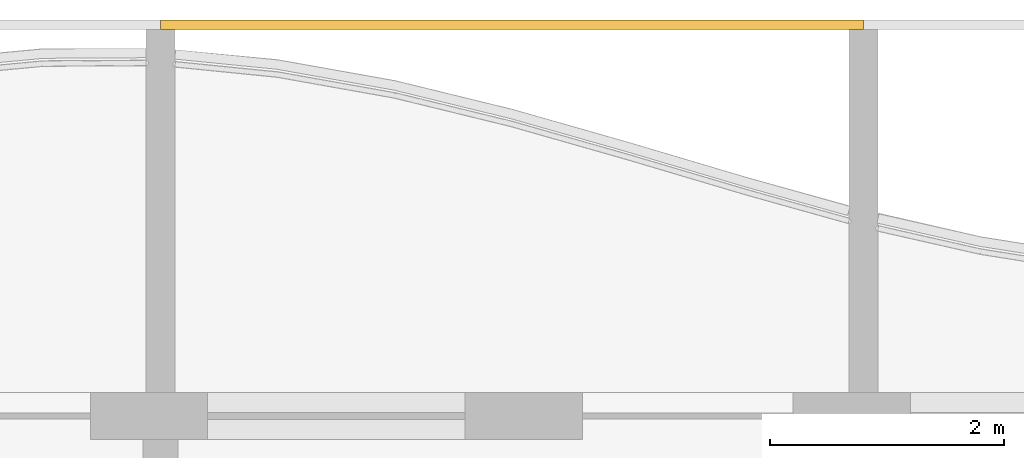
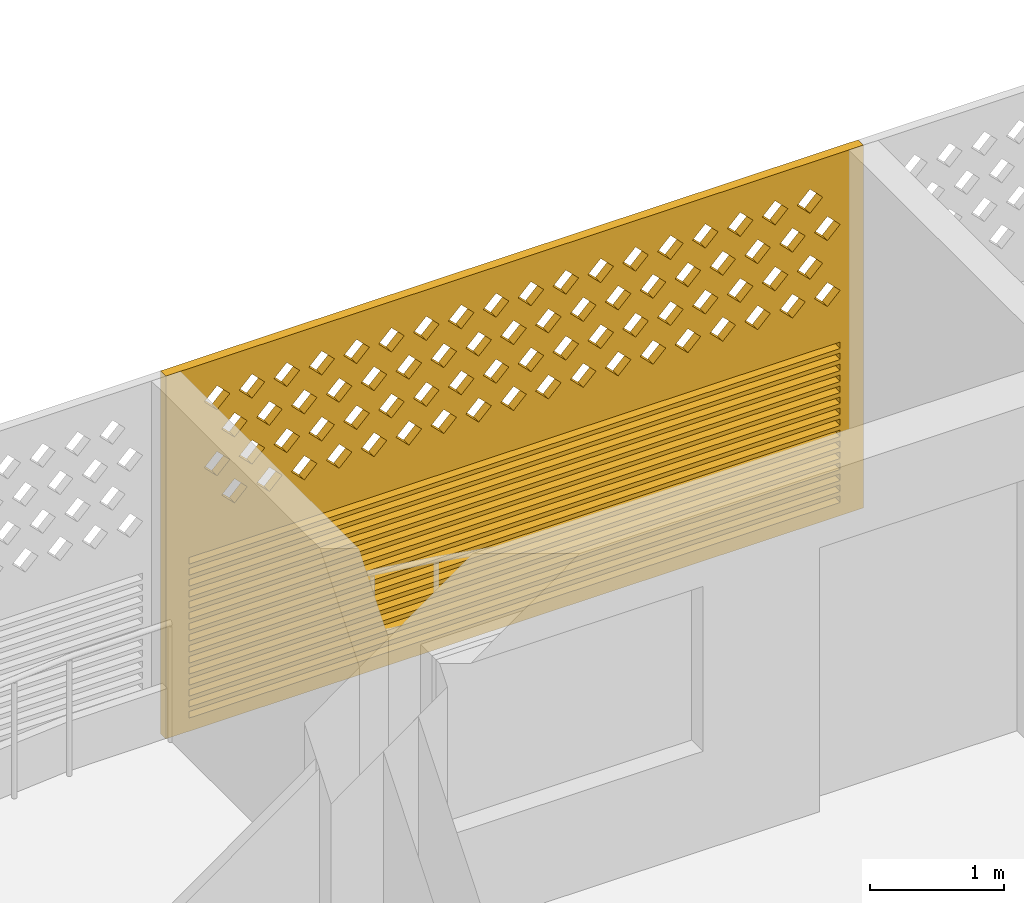
# One storey, part 31 of 33: 1 covering.
"""IFC4 building model written with IfcOpenShell, lengths in metres."""

from ifc_helpers import new_model, si_unit, direction, frame, origin, place, context, subcontext, project, spatial, polyline, outline, extrude, source, transform, mapped, material, material_profile, profile_set, type_object, element, save


model = new_model("IFC4")

# Units and contexts
model_context = context("Model", 3, precision=1e-05, world=origin(), true_north=direction((0.0, 1.0)))
body_context = subcontext(model_context, "Body", "Model", "MODEL_VIEW")
ifc_project = project(units=[si_unit("LENGTHUNIT", "METRE"), si_unit("AREAUNIT", "SQUARE_METRE"), si_unit("VOLUMEUNIT", "CUBIC_METRE"), si_unit("PLANEANGLEUNIT", "RADIAN"), si_unit("MASSUNIT", "GRAM", prefix="KILO")], contexts=[model_context])

# Site, building, storey
site_placement = place(None, origin())
site = spatial("IfcSite", under=ifc_project, at=site_placement, CompositionType="ELEMENT")
building_placement = place(site_placement, origin())
building = spatial("IfcBuilding", under=site, at=building_placement, Name="Poui Terraces", CompositionType="ELEMENT")
storey_placement = place(building_placement, frame((0.0, 0.0, 132.300048828125)))
storey = spatial("IfcBuildingStorey", under=building, at=storey_placement, Name="L36", CompositionType="ELEMENT", Elevation=132.300048828125)

# Covering
ifc_material = material(Name="Terracotta screen", Category="masonry")
ifc_material_profile = material_profile(ifc_material, outline(polyline([(-3.0, -1.64990234375), (3.0, -1.64990234375), (3.0, 1.64990234375), (-3.0, 1.64990234375), (-3.0, -1.64990234375)]), holes=[polyline([(-2.800048828125, 0.39990234375), (-2.68994140625, 0.2900390625), (-2.580078125, 0.39990234375), (-2.68994140625, 0.510009765625), (-2.800048828125, 0.39990234375)]), polyline([(-2.5, 0.39990234375), (-2.389892578125, 0.2900390625), (-2.280029296875, 0.39990234375), (-2.389892578125, 0.510009765625), (-2.5, 0.39990234375)]), polyline([(-2.199951171875, 0.39990234375), (-2.090087890625, 0.2900390625), (-1.97998046875, 0.39990234375), (-2.090087890625, 0.510009765625), (-2.199951171875, 0.39990234375)]), polyline([(-1.89990234375, 0.39990234375), (-1.7900390625, 0.2900390625), (-1.679931640625, 0.39990234375), (-1.7900390625, 0.510009765625), (-1.89990234375, 0.39990234375)]), polyline([(-1.60009765625, 0.39990234375), (-1.489990234375, 0.2900390625), (-1.3798828125, 0.39990234375), (-1.489990234375, 0.510009765625), (-1.60009765625, 0.39990234375)]), polyline([(-1.300048828125, 0.39990234375), (-1.18994140625, 0.2900390625), (-1.080078125, 0.39990234375), (-1.18994140625, 0.510009765625), (-1.300048828125, 0.39990234375)]), polyline([(-1.0, 0.39990234375), (-0.889892578125, 0.2900390625), (-0.780029296875, 0.39990234375), (-0.889892578125, 0.510009765625), (-1.0, 0.39990234375)]), polyline([(-0.699951171875, 0.39990234375), (-0.590087890625, 0.2900390625), (-0.47998046875, 0.39990234375), (-0.590087890625, 0.510009765625), (-0.699951171875, 0.39990234375)]), polyline([(-0.39990234375, 0.39990234375), (-0.2900390625, 0.2900390625), (-0.179931640625, 0.39990234375), (-0.2900390625, 0.510009765625), (-0.39990234375, 0.39990234375)]), polyline([(-0.10009765625, 0.39990234375), (0.010009765625, 0.2900390625), (0.1201171875, 0.39990234375), (0.010009765625, 0.510009765625), (-0.10009765625, 0.39990234375)]), polyline([(0.199951171875, 0.39990234375), (0.31005859375, 0.2900390625), (0.419921875, 0.39990234375), (0.31005859375, 0.510009765625), (0.199951171875, 0.39990234375)]), polyline([(0.5, 0.39990234375), (0.610107421875, 0.2900390625), (0.719970703125, 0.39990234375), (0.610107421875, 0.510009765625), (0.5, 0.39990234375)]), polyline([(0.800048828125, 0.39990234375), (0.909912109375, 0.2900390625), (1.02001953125, 0.39990234375), (0.909912109375, 0.510009765625), (0.800048828125, 0.39990234375)]), polyline([(1.10009765625, 0.39990234375), (1.2099609375, 0.2900390625), (1.320068359375, 0.39990234375), (1.2099609375, 0.510009765625), (1.10009765625, 0.39990234375)]), polyline([(1.39990234375, 0.39990234375), (1.510009765625, 0.2900390625), (1.6201171875, 0.39990234375), (1.510009765625, 0.510009765625), (1.39990234375, 0.39990234375)]), polyline([(1.699951171875, 0.39990234375), (1.81005859375, 0.2900390625), (1.919921875, 0.39990234375), (1.81005859375, 0.510009765625), (1.699951171875, 0.39990234375)]), polyline([(2.0, 0.39990234375), (2.110107421875, 0.2900390625), (2.219970703125, 0.39990234375), (2.110107421875, 0.510009765625), (2.0, 0.39990234375)]), polyline([(2.300048828125, 0.39990234375), (2.409912109375, 0.2900390625), (2.52001953125, 0.39990234375), (2.409912109375, 0.510009765625), (2.300048828125, 0.39990234375)]), polyline([(-2.64990234375, 0.699951171875), (-2.5400390625, 0.590087890625), (-2.429931640625, 0.699951171875), (-2.5400390625, 0.81005859375), (-2.64990234375, 0.699951171875)]), polyline([(-2.35009765625, 0.699951171875), (-2.239990234375, 0.590087890625), (-2.1298828125, 0.699951171875), (-2.239990234375, 0.81005859375), (-2.35009765625, 0.699951171875)]), polyline([(-2.050048828125, 0.699951171875), (-1.93994140625, 0.590087890625), (-1.830078125, 0.699951171875), (-1.93994140625, 0.81005859375), (-2.050048828125, 0.699951171875)]), polyline([(-1.75, 0.699951171875), (-1.639892578125, 0.590087890625), (-1.530029296875, 0.699951171875), (-1.639892578125, 0.81005859375), (-1.75, 0.699951171875)]), polyline([(-1.449951171875, 0.699951171875), (-1.340087890625, 0.590087890625), (-1.22998046875, 0.699951171875), (-1.340087890625, 0.81005859375), (-1.449951171875, 0.699951171875)]), polyline([(-1.14990234375, 0.699951171875), (-1.0400390625, 0.590087890625), (-0.929931640625, 0.699951171875), (-1.0400390625, 0.81005859375), (-1.14990234375, 0.699951171875)]), polyline([(-0.85009765625, 0.699951171875), (-0.739990234375, 0.590087890625), (-0.6298828125, 0.699951171875), (-0.739990234375, 0.81005859375), (-0.85009765625, 0.699951171875)]), polyline([(-0.550048828125, 0.699951171875), (-0.43994140625, 0.590087890625), (-0.330078125, 0.699951171875), (-0.43994140625, 0.81005859375), (-0.550048828125, 0.699951171875)]), polyline([(-0.25, 0.699951171875), (-0.139892578125, 0.590087890625), (-0.030029296875, 0.699951171875), (-0.139892578125, 0.81005859375), (-0.25, 0.699951171875)]), polyline([(0.050048828125, 0.699951171875), (0.159912109375, 0.590087890625), (0.27001953125, 0.699951171875), (0.159912109375, 0.81005859375), (0.050048828125, 0.699951171875)]), polyline([(0.35009765625, 0.699951171875), (0.4599609375, 0.590087890625), (0.570068359375, 0.699951171875), (0.4599609375, 0.81005859375), (0.35009765625, 0.699951171875)]), polyline([(0.64990234375, 0.699951171875), (0.760009765625, 0.590087890625), (0.8701171875, 0.699951171875), (0.760009765625, 0.81005859375), (0.64990234375, 0.699951171875)]), polyline([(0.949951171875, 0.699951171875), (1.06005859375, 0.590087890625), (1.169921875, 0.699951171875), (1.06005859375, 0.81005859375), (0.949951171875, 0.699951171875)]), polyline([(1.25, 0.699951171875), (1.360107421875, 0.590087890625), (1.469970703125, 0.699951171875), (1.360107421875, 0.81005859375), (1.25, 0.699951171875)]), polyline([(1.550048828125, 0.699951171875), (1.659912109375, 0.590087890625), (1.77001953125, 0.699951171875), (1.659912109375, 0.81005859375), (1.550048828125, 0.699951171875)]), polyline([(1.85009765625, 0.699951171875), (1.9599609375, 0.590087890625), (2.070068359375, 0.699951171875), (1.9599609375, 0.81005859375), (1.85009765625, 0.699951171875)]), polyline([(2.14990234375, 0.699951171875), (2.260009765625, 0.590087890625), (2.3701171875, 0.699951171875), (2.260009765625, 0.81005859375), (2.14990234375, 0.699951171875)]), polyline([(2.449951171875, 0.699951171875), (2.56005859375, 0.590087890625), (2.669921875, 0.699951171875), (2.56005859375, 0.81005859375), (2.449951171875, 0.699951171875)]), polyline([(-2.800048828125, 1.0), (-2.68994140625, 0.889892578125), (-2.580078125, 1.0), (-2.68994140625, 1.110107421875), (-2.800048828125, 1.0)]), polyline([(-2.5, 1.0), (-2.389892578125, 0.889892578125), (-2.280029296875, 1.0), (-2.389892578125, 1.110107421875), (-2.5, 1.0)]), polyline([(-2.199951171875, 1.0), (-2.090087890625, 0.889892578125), (-1.97998046875, 1.0), (-2.090087890625, 1.110107421875), (-2.199951171875, 1.0)]), polyline([(-1.89990234375, 1.0), (-1.7900390625, 0.889892578125), (-1.679931640625, 1.0), (-1.7900390625, 1.110107421875), (-1.89990234375, 1.0)]), polyline([(-1.60009765625, 1.0), (-1.489990234375, 0.889892578125), (-1.3798828125, 1.0), (-1.489990234375, 1.110107421875), (-1.60009765625, 1.0)]), polyline([(-1.300048828125, 1.0), (-1.18994140625, 0.889892578125), (-1.080078125, 1.0), (-1.18994140625, 1.110107421875), (-1.300048828125, 1.0)]), polyline([(-1.0, 1.0), (-0.889892578125, 0.889892578125), (-0.780029296875, 1.0), (-0.889892578125, 1.110107421875), (-1.0, 1.0)]), polyline([(-0.699951171875, 1.0), (-0.590087890625, 0.889892578125), (-0.47998046875, 1.0), (-0.590087890625, 1.110107421875), (-0.699951171875, 1.0)]), polyline([(-0.39990234375, 1.0), (-0.2900390625, 0.889892578125), (-0.179931640625, 1.0), (-0.2900390625, 1.110107421875), (-0.39990234375, 1.0)]), polyline([(-0.10009765625, 1.0), (0.010009765625, 0.889892578125), (0.1201171875, 1.0), (0.010009765625, 1.110107421875), (-0.10009765625, 1.0)]), polyline([(0.199951171875, 1.0), (0.31005859375, 0.889892578125), (0.419921875, 1.0), (0.31005859375, 1.110107421875), (0.199951171875, 1.0)]), polyline([(0.5, 1.0), (0.610107421875, 0.889892578125), (0.719970703125, 1.0), (0.610107421875, 1.110107421875), (0.5, 1.0)]), polyline([(0.800048828125, 1.0), (0.909912109375, 0.889892578125), (1.02001953125, 1.0), (0.909912109375, 1.110107421875), (0.800048828125, 1.0)]), polyline([(1.10009765625, 1.0), (1.2099609375, 0.889892578125), (1.320068359375, 1.0), (1.2099609375, 1.110107421875), (1.10009765625, 1.0)]), polyline([(1.39990234375, 1.0), (1.510009765625, 0.889892578125), (1.6201171875, 1.0), (1.510009765625, 1.110107421875), (1.39990234375, 1.0)]), polyline([(1.699951171875, 1.0), (1.81005859375, 0.889892578125), (1.919921875, 1.0), (1.81005859375, 1.110107421875), (1.699951171875, 1.0)]), polyline([(2.0, 1.0), (2.110107421875, 0.889892578125), (2.219970703125, 1.0), (2.110107421875, 1.110107421875), (2.0, 1.0)]), polyline([(2.300048828125, 1.0), (2.409912109375, 0.889892578125), (2.52001953125, 1.0), (2.409912109375, 1.110107421875), (2.300048828125, 1.0)]), polyline([(-2.64990234375, 1.300048828125), (-2.5400390625, 1.18994140625), (-2.429931640625, 1.300048828125), (-2.5400390625, 1.409912109375), (-2.64990234375, 1.300048828125)]), polyline([(-2.35009765625, 1.300048828125), (-2.239990234375, 1.18994140625), (-2.1298828125, 1.300048828125), (-2.239990234375, 1.409912109375), (-2.35009765625, 1.300048828125)]), polyline([(-2.050048828125, 1.300048828125), (-1.93994140625, 1.18994140625), (-1.830078125, 1.300048828125), (-1.93994140625, 1.409912109375), (-2.050048828125, 1.300048828125)]), polyline([(-1.75, 1.300048828125), (-1.639892578125, 1.18994140625), (-1.530029296875, 1.300048828125), (-1.639892578125, 1.409912109375), (-1.75, 1.300048828125)]), polyline([(-1.449951171875, 1.300048828125), (-1.340087890625, 1.18994140625), (-1.22998046875, 1.300048828125), (-1.340087890625, 1.409912109375), (-1.449951171875, 1.300048828125)]), polyline([(-1.14990234375, 1.300048828125), (-1.0400390625, 1.18994140625), (-0.929931640625, 1.300048828125), (-1.0400390625, 1.409912109375), (-1.14990234375, 1.300048828125)]), polyline([(-0.85009765625, 1.300048828125), (-0.739990234375, 1.18994140625), (-0.6298828125, 1.300048828125), (-0.739990234375, 1.409912109375), (-0.85009765625, 1.300048828125)]), polyline([(-0.550048828125, 1.300048828125), (-0.43994140625, 1.18994140625), (-0.330078125, 1.300048828125), (-0.43994140625, 1.409912109375), (-0.550048828125, 1.300048828125)]), polyline([(-0.25, 1.300048828125), (-0.139892578125, 1.18994140625), (-0.030029296875, 1.300048828125), (-0.139892578125, 1.409912109375), (-0.25, 1.300048828125)]), polyline([(0.050048828125, 1.300048828125), (0.159912109375, 1.18994140625), (0.27001953125, 1.300048828125), (0.159912109375, 1.409912109375), (0.050048828125, 1.300048828125)]), polyline([(0.35009765625, 1.300048828125), (0.4599609375, 1.18994140625), (0.570068359375, 1.300048828125), (0.4599609375, 1.409912109375), (0.35009765625, 1.300048828125)]), polyline([(0.64990234375, 1.300048828125), (0.760009765625, 1.18994140625), (0.8701171875, 1.300048828125), (0.760009765625, 1.409912109375), (0.64990234375, 1.300048828125)]), polyline([(0.949951171875, 1.300048828125), (1.06005859375, 1.18994140625), (1.169921875, 1.300048828125), (1.06005859375, 1.409912109375), (0.949951171875, 1.300048828125)]), polyline([(1.25, 1.300048828125), (1.360107421875, 1.18994140625), (1.469970703125, 1.300048828125), (1.360107421875, 1.409912109375), (1.25, 1.300048828125)]), polyline([(1.550048828125, 1.300048828125), (1.659912109375, 1.18994140625), (1.77001953125, 1.300048828125), (1.659912109375, 1.409912109375), (1.550048828125, 1.300048828125)]), polyline([(1.85009765625, 1.300048828125), (1.9599609375, 1.18994140625), (2.070068359375, 1.300048828125), (1.9599609375, 1.409912109375), (1.85009765625, 1.300048828125)]), polyline([(2.14990234375, 1.300048828125), (2.260009765625, 1.18994140625), (2.3701171875, 1.300048828125), (2.260009765625, 1.409912109375), (2.14990234375, 1.300048828125)]), polyline([(2.449951171875, 1.300048828125), (2.56005859375, 1.18994140625), (2.669921875, 1.300048828125), (2.56005859375, 1.409912109375), (2.449951171875, 1.300048828125)]), polyline([(-2.800048828125, -1.530029296875), (2.800048828125, -1.530029296875), (2.800048828125, -1.469970703125), (-2.800048828125, -1.469970703125), (-2.800048828125, -1.530029296875)]), polyline([(-2.800048828125, -1.429931640625), (2.800048828125, -1.429931640625), (2.800048828125, -1.3701171875), (-2.800048828125, -1.3701171875), (-2.800048828125, -1.429931640625)]), polyline([(-2.800048828125, -1.330078125), (2.800048828125, -1.330078125), (2.800048828125, -1.27001953125), (-2.800048828125, -1.27001953125), (-2.800048828125, -1.330078125)]), polyline([(-2.800048828125, -1.22998046875), (2.800048828125, -1.22998046875), (2.800048828125, -1.169921875), (-2.800048828125, -1.169921875), (-2.800048828125, -1.22998046875)]), polyline([(-2.800048828125, -1.1298828125), (2.800048828125, -1.1298828125), (2.800048828125, -1.070068359375), (-2.800048828125, -1.070068359375), (-2.800048828125, -1.1298828125)]), polyline([(-2.800048828125, -1.030029296875), (2.800048828125, -1.030029296875), (2.800048828125, -0.969970703125), (-2.800048828125, -0.969970703125), (-2.800048828125, -1.030029296875)]), polyline([(-2.800048828125, -0.929931640625), (2.800048828125, -0.929931640625), (2.800048828125, -0.8701171875), (-2.800048828125, -0.8701171875), (-2.800048828125, -0.929931640625)]), polyline([(-2.800048828125, -0.830078125), (2.800048828125, -0.830078125), (2.800048828125, -0.77001953125), (-2.800048828125, -0.77001953125), (-2.800048828125, -0.830078125)]), polyline([(-2.800048828125, -0.72998046875), (2.800048828125, -0.72998046875), (2.800048828125, -0.669921875), (-2.800048828125, -0.669921875), (-2.800048828125, -0.72998046875)]), polyline([(-2.800048828125, -0.6298828125), (2.800048828125, -0.6298828125), (2.800048828125, -0.570068359375), (-2.800048828125, -0.570068359375), (-2.800048828125, -0.6298828125)]), polyline([(-2.800048828125, -0.530029296875), (2.800048828125, -0.530029296875), (2.800048828125, -0.469970703125), (-2.800048828125, -0.469970703125), (-2.800048828125, -0.530029296875)]), polyline([(-2.800048828125, -0.429931640625), (2.800048828125, -0.429931640625), (2.800048828125, -0.3701171875), (-2.800048828125, -0.3701171875), (-2.800048828125, -0.429931640625)]), polyline([(-2.800048828125, -0.330078125), (2.800048828125, -0.330078125), (2.800048828125, -0.27001953125), (-2.800048828125, -0.27001953125), (-2.800048828125, -0.330078125)]), polyline([(-2.800048828125, -0.22998046875), (2.800048828125, -0.22998046875), (2.800048828125, -0.169921875), (-2.800048828125, -0.169921875), (-2.800048828125, -0.22998046875)]), polyline([(-2.800048828125, -0.1298828125), (2.800048828125, -0.1298828125), (2.800048828125, -0.070068359375), (-2.800048828125, -0.070068359375), (-2.800048828125, -0.1298828125)])]), Name="TERRACOTTA SCREEN AND JALOUSIE LOUVRE 6000X3300")
ifc_profile_set = profile_set([ifc_material_profile], Name="Terracotta screen")
covering_type = type_object("IfcCoveringType", Name="TERRACOTTA SCREEN AND JALOUSIE LOUVRE 6000X3300", PredefinedType="CLADDING", material=ifc_profile_set)
shared_shape = source(origin(), body_context, "Body", "SweptSolid", [
    extrude(outline(polyline([(-3.0, -1.64990234375), (3.0, -1.64990234375), (3.0, 1.64990234375), (-3.0, 1.64990234375), (-3.0, -1.64990234375)]), holes=[polyline([(-2.800048828125, 0.39990234375), (-2.68994140625, 0.2900390625), (-2.580078125, 0.39990234375), (-2.68994140625, 0.510009765625), (-2.800048828125, 0.39990234375)]), polyline([(-2.5, 0.39990234375), (-2.389892578125, 0.2900390625), (-2.280029296875, 0.39990234375), (-2.389892578125, 0.510009765625), (-2.5, 0.39990234375)]), polyline([(-2.199951171875, 0.39990234375), (-2.090087890625, 0.2900390625), (-1.97998046875, 0.39990234375), (-2.090087890625, 0.510009765625), (-2.199951171875, 0.39990234375)]), polyline([(-1.89990234375, 0.39990234375), (-1.7900390625, 0.2900390625), (-1.679931640625, 0.39990234375), (-1.7900390625, 0.510009765625), (-1.89990234375, 0.39990234375)]), polyline([(-1.60009765625, 0.39990234375), (-1.489990234375, 0.2900390625), (-1.3798828125, 0.39990234375), (-1.489990234375, 0.510009765625), (-1.60009765625, 0.39990234375)]), polyline([(-1.300048828125, 0.39990234375), (-1.18994140625, 0.2900390625), (-1.080078125, 0.39990234375), (-1.18994140625, 0.510009765625), (-1.300048828125, 0.39990234375)]), polyline([(-1.0, 0.39990234375), (-0.889892578125, 0.2900390625), (-0.780029296875, 0.39990234375), (-0.889892578125, 0.510009765625), (-1.0, 0.39990234375)]), polyline([(-0.699951171875, 0.39990234375), (-0.590087890625, 0.2900390625), (-0.47998046875, 0.39990234375), (-0.590087890625, 0.510009765625), (-0.699951171875, 0.39990234375)]), polyline([(-0.39990234375, 0.39990234375), (-0.2900390625, 0.2900390625), (-0.179931640625, 0.39990234375), (-0.2900390625, 0.510009765625), (-0.39990234375, 0.39990234375)]), polyline([(-0.10009765625, 0.39990234375), (0.010009765625, 0.2900390625), (0.1201171875, 0.39990234375), (0.010009765625, 0.510009765625), (-0.10009765625, 0.39990234375)]), polyline([(0.199951171875, 0.39990234375), (0.31005859375, 0.2900390625), (0.419921875, 0.39990234375), (0.31005859375, 0.510009765625), (0.199951171875, 0.39990234375)]), polyline([(0.5, 0.39990234375), (0.610107421875, 0.2900390625), (0.719970703125, 0.39990234375), (0.610107421875, 0.510009765625), (0.5, 0.39990234375)]), polyline([(0.800048828125, 0.39990234375), (0.909912109375, 0.2900390625), (1.02001953125, 0.39990234375), (0.909912109375, 0.510009765625), (0.800048828125, 0.39990234375)]), polyline([(1.10009765625, 0.39990234375), (1.2099609375, 0.2900390625), (1.320068359375, 0.39990234375), (1.2099609375, 0.510009765625), (1.10009765625, 0.39990234375)]), polyline([(1.39990234375, 0.39990234375), (1.510009765625, 0.2900390625), (1.6201171875, 0.39990234375), (1.510009765625, 0.510009765625), (1.39990234375, 0.39990234375)]), polyline([(1.699951171875, 0.39990234375), (1.81005859375, 0.2900390625), (1.919921875, 0.39990234375), (1.81005859375, 0.510009765625), (1.699951171875, 0.39990234375)]), polyline([(2.0, 0.39990234375), (2.110107421875, 0.2900390625), (2.219970703125, 0.39990234375), (2.110107421875, 0.510009765625), (2.0, 0.39990234375)]), polyline([(2.300048828125, 0.39990234375), (2.409912109375, 0.2900390625), (2.52001953125, 0.39990234375), (2.409912109375, 0.510009765625), (2.300048828125, 0.39990234375)]), polyline([(-2.64990234375, 0.699951171875), (-2.5400390625, 0.590087890625), (-2.429931640625, 0.699951171875), (-2.5400390625, 0.81005859375), (-2.64990234375, 0.699951171875)]), polyline([(-2.35009765625, 0.699951171875), (-2.239990234375, 0.590087890625), (-2.1298828125, 0.699951171875), (-2.239990234375, 0.81005859375), (-2.35009765625, 0.699951171875)]), polyline([(-2.050048828125, 0.699951171875), (-1.93994140625, 0.590087890625), (-1.830078125, 0.699951171875), (-1.93994140625, 0.81005859375), (-2.050048828125, 0.699951171875)]), polyline([(-1.75, 0.699951171875), (-1.639892578125, 0.590087890625), (-1.530029296875, 0.699951171875), (-1.639892578125, 0.81005859375), (-1.75, 0.699951171875)]), polyline([(-1.449951171875, 0.699951171875), (-1.340087890625, 0.590087890625), (-1.22998046875, 0.699951171875), (-1.340087890625, 0.81005859375), (-1.449951171875, 0.699951171875)]), polyline([(-1.14990234375, 0.699951171875), (-1.0400390625, 0.590087890625), (-0.929931640625, 0.699951171875), (-1.0400390625, 0.81005859375), (-1.14990234375, 0.699951171875)]), polyline([(-0.85009765625, 0.699951171875), (-0.739990234375, 0.590087890625), (-0.6298828125, 0.699951171875), (-0.739990234375, 0.81005859375), (-0.85009765625, 0.699951171875)]), polyline([(-0.550048828125, 0.699951171875), (-0.43994140625, 0.590087890625), (-0.330078125, 0.699951171875), (-0.43994140625, 0.81005859375), (-0.550048828125, 0.699951171875)]), polyline([(-0.25, 0.699951171875), (-0.139892578125, 0.590087890625), (-0.030029296875, 0.699951171875), (-0.139892578125, 0.81005859375), (-0.25, 0.699951171875)]), polyline([(0.050048828125, 0.699951171875), (0.159912109375, 0.590087890625), (0.27001953125, 0.699951171875), (0.159912109375, 0.81005859375), (0.050048828125, 0.699951171875)]), polyline([(0.35009765625, 0.699951171875), (0.4599609375, 0.590087890625), (0.570068359375, 0.699951171875), (0.4599609375, 0.81005859375), (0.35009765625, 0.699951171875)]), polyline([(0.64990234375, 0.699951171875), (0.760009765625, 0.590087890625), (0.8701171875, 0.699951171875), (0.760009765625, 0.81005859375), (0.64990234375, 0.699951171875)]), polyline([(0.949951171875, 0.699951171875), (1.06005859375, 0.590087890625), (1.169921875, 0.699951171875), (1.06005859375, 0.81005859375), (0.949951171875, 0.699951171875)]), polyline([(1.25, 0.699951171875), (1.360107421875, 0.590087890625), (1.469970703125, 0.699951171875), (1.360107421875, 0.81005859375), (1.25, 0.699951171875)]), polyline([(1.550048828125, 0.699951171875), (1.659912109375, 0.590087890625), (1.77001953125, 0.699951171875), (1.659912109375, 0.81005859375), (1.550048828125, 0.699951171875)]), polyline([(1.85009765625, 0.699951171875), (1.9599609375, 0.590087890625), (2.070068359375, 0.699951171875), (1.9599609375, 0.81005859375), (1.85009765625, 0.699951171875)]), polyline([(2.14990234375, 0.699951171875), (2.260009765625, 0.590087890625), (2.3701171875, 0.699951171875), (2.260009765625, 0.81005859375), (2.14990234375, 0.699951171875)]), polyline([(2.449951171875, 0.699951171875), (2.56005859375, 0.590087890625), (2.669921875, 0.699951171875), (2.56005859375, 0.81005859375), (2.449951171875, 0.699951171875)]), polyline([(-2.800048828125, 1.0), (-2.68994140625, 0.889892578125), (-2.580078125, 1.0), (-2.68994140625, 1.110107421875), (-2.800048828125, 1.0)]), polyline([(-2.5, 1.0), (-2.389892578125, 0.889892578125), (-2.280029296875, 1.0), (-2.389892578125, 1.110107421875), (-2.5, 1.0)]), polyline([(-2.199951171875, 1.0), (-2.090087890625, 0.889892578125), (-1.97998046875, 1.0), (-2.090087890625, 1.110107421875), (-2.199951171875, 1.0)]), polyline([(-1.89990234375, 1.0), (-1.7900390625, 0.889892578125), (-1.679931640625, 1.0), (-1.7900390625, 1.110107421875), (-1.89990234375, 1.0)]), polyline([(-1.60009765625, 1.0), (-1.489990234375, 0.889892578125), (-1.3798828125, 1.0), (-1.489990234375, 1.110107421875), (-1.60009765625, 1.0)]), polyline([(-1.300048828125, 1.0), (-1.18994140625, 0.889892578125), (-1.080078125, 1.0), (-1.18994140625, 1.110107421875), (-1.300048828125, 1.0)]), polyline([(-1.0, 1.0), (-0.889892578125, 0.889892578125), (-0.780029296875, 1.0), (-0.889892578125, 1.110107421875), (-1.0, 1.0)]), polyline([(-0.699951171875, 1.0), (-0.590087890625, 0.889892578125), (-0.47998046875, 1.0), (-0.590087890625, 1.110107421875), (-0.699951171875, 1.0)]), polyline([(-0.39990234375, 1.0), (-0.2900390625, 0.889892578125), (-0.179931640625, 1.0), (-0.2900390625, 1.110107421875), (-0.39990234375, 1.0)]), polyline([(-0.10009765625, 1.0), (0.010009765625, 0.889892578125), (0.1201171875, 1.0), (0.010009765625, 1.110107421875), (-0.10009765625, 1.0)]), polyline([(0.199951171875, 1.0), (0.31005859375, 0.889892578125), (0.419921875, 1.0), (0.31005859375, 1.110107421875), (0.199951171875, 1.0)]), polyline([(0.5, 1.0), (0.610107421875, 0.889892578125), (0.719970703125, 1.0), (0.610107421875, 1.110107421875), (0.5, 1.0)]), polyline([(0.800048828125, 1.0), (0.909912109375, 0.889892578125), (1.02001953125, 1.0), (0.909912109375, 1.110107421875), (0.800048828125, 1.0)]), polyline([(1.10009765625, 1.0), (1.2099609375, 0.889892578125), (1.320068359375, 1.0), (1.2099609375, 1.110107421875), (1.10009765625, 1.0)]), polyline([(1.39990234375, 1.0), (1.510009765625, 0.889892578125), (1.6201171875, 1.0), (1.510009765625, 1.110107421875), (1.39990234375, 1.0)]), polyline([(1.699951171875, 1.0), (1.81005859375, 0.889892578125), (1.919921875, 1.0), (1.81005859375, 1.110107421875), (1.699951171875, 1.0)]), polyline([(2.0, 1.0), (2.110107421875, 0.889892578125), (2.219970703125, 1.0), (2.110107421875, 1.110107421875), (2.0, 1.0)]), polyline([(2.300048828125, 1.0), (2.409912109375, 0.889892578125), (2.52001953125, 1.0), (2.409912109375, 1.110107421875), (2.300048828125, 1.0)]), polyline([(-2.64990234375, 1.300048828125), (-2.5400390625, 1.18994140625), (-2.429931640625, 1.300048828125), (-2.5400390625, 1.409912109375), (-2.64990234375, 1.300048828125)]), polyline([(-2.35009765625, 1.300048828125), (-2.239990234375, 1.18994140625), (-2.1298828125, 1.300048828125), (-2.239990234375, 1.409912109375), (-2.35009765625, 1.300048828125)]), polyline([(-2.050048828125, 1.300048828125), (-1.93994140625, 1.18994140625), (-1.830078125, 1.300048828125), (-1.93994140625, 1.409912109375), (-2.050048828125, 1.300048828125)]), polyline([(-1.75, 1.300048828125), (-1.639892578125, 1.18994140625), (-1.530029296875, 1.300048828125), (-1.639892578125, 1.409912109375), (-1.75, 1.300048828125)]), polyline([(-1.449951171875, 1.300048828125), (-1.340087890625, 1.18994140625), (-1.22998046875, 1.300048828125), (-1.340087890625, 1.409912109375), (-1.449951171875, 1.300048828125)]), polyline([(-1.14990234375, 1.300048828125), (-1.0400390625, 1.18994140625), (-0.929931640625, 1.300048828125), (-1.0400390625, 1.409912109375), (-1.14990234375, 1.300048828125)]), polyline([(-0.85009765625, 1.300048828125), (-0.739990234375, 1.18994140625), (-0.6298828125, 1.300048828125), (-0.739990234375, 1.409912109375), (-0.85009765625, 1.300048828125)]), polyline([(-0.550048828125, 1.300048828125), (-0.43994140625, 1.18994140625), (-0.330078125, 1.300048828125), (-0.43994140625, 1.409912109375), (-0.550048828125, 1.300048828125)]), polyline([(-0.25, 1.300048828125), (-0.139892578125, 1.18994140625), (-0.030029296875, 1.300048828125), (-0.139892578125, 1.409912109375), (-0.25, 1.300048828125)]), polyline([(0.050048828125, 1.300048828125), (0.159912109375, 1.18994140625), (0.27001953125, 1.300048828125), (0.159912109375, 1.409912109375), (0.050048828125, 1.300048828125)]), polyline([(0.35009765625, 1.300048828125), (0.4599609375, 1.18994140625), (0.570068359375, 1.300048828125), (0.4599609375, 1.409912109375), (0.35009765625, 1.300048828125)]), polyline([(0.64990234375, 1.300048828125), (0.760009765625, 1.18994140625), (0.8701171875, 1.300048828125), (0.760009765625, 1.409912109375), (0.64990234375, 1.300048828125)]), polyline([(0.949951171875, 1.300048828125), (1.06005859375, 1.18994140625), (1.169921875, 1.300048828125), (1.06005859375, 1.409912109375), (0.949951171875, 1.300048828125)]), polyline([(1.25, 1.300048828125), (1.360107421875, 1.18994140625), (1.469970703125, 1.300048828125), (1.360107421875, 1.409912109375), (1.25, 1.300048828125)]), polyline([(1.550048828125, 1.300048828125), (1.659912109375, 1.18994140625), (1.77001953125, 1.300048828125), (1.659912109375, 1.409912109375), (1.550048828125, 1.300048828125)]), polyline([(1.85009765625, 1.300048828125), (1.9599609375, 1.18994140625), (2.070068359375, 1.300048828125), (1.9599609375, 1.409912109375), (1.85009765625, 1.300048828125)]), polyline([(2.14990234375, 1.300048828125), (2.260009765625, 1.18994140625), (2.3701171875, 1.300048828125), (2.260009765625, 1.409912109375), (2.14990234375, 1.300048828125)]), polyline([(2.449951171875, 1.300048828125), (2.56005859375, 1.18994140625), (2.669921875, 1.300048828125), (2.56005859375, 1.409912109375), (2.449951171875, 1.300048828125)]), polyline([(-2.800048828125, -1.530029296875), (2.800048828125, -1.530029296875), (2.800048828125, -1.469970703125), (-2.800048828125, -1.469970703125), (-2.800048828125, -1.530029296875)]), polyline([(-2.800048828125, -1.429931640625), (2.800048828125, -1.429931640625), (2.800048828125, -1.3701171875), (-2.800048828125, -1.3701171875), (-2.800048828125, -1.429931640625)]), polyline([(-2.800048828125, -1.330078125), (2.800048828125, -1.330078125), (2.800048828125, -1.27001953125), (-2.800048828125, -1.27001953125), (-2.800048828125, -1.330078125)]), polyline([(-2.800048828125, -1.22998046875), (2.800048828125, -1.22998046875), (2.800048828125, -1.169921875), (-2.800048828125, -1.169921875), (-2.800048828125, -1.22998046875)]), polyline([(-2.800048828125, -1.1298828125), (2.800048828125, -1.1298828125), (2.800048828125, -1.070068359375), (-2.800048828125, -1.070068359375), (-2.800048828125, -1.1298828125)]), polyline([(-2.800048828125, -1.030029296875), (2.800048828125, -1.030029296875), (2.800048828125, -0.969970703125), (-2.800048828125, -0.969970703125), (-2.800048828125, -1.030029296875)]), polyline([(-2.800048828125, -0.929931640625), (2.800048828125, -0.929931640625), (2.800048828125, -0.8701171875), (-2.800048828125, -0.8701171875), (-2.800048828125, -0.929931640625)]), polyline([(-2.800048828125, -0.830078125), (2.800048828125, -0.830078125), (2.800048828125, -0.77001953125), (-2.800048828125, -0.77001953125), (-2.800048828125, -0.830078125)]), polyline([(-2.800048828125, -0.72998046875), (2.800048828125, -0.72998046875), (2.800048828125, -0.669921875), (-2.800048828125, -0.669921875), (-2.800048828125, -0.72998046875)]), polyline([(-2.800048828125, -0.6298828125), (2.800048828125, -0.6298828125), (2.800048828125, -0.570068359375), (-2.800048828125, -0.570068359375), (-2.800048828125, -0.6298828125)]), polyline([(-2.800048828125, -0.530029296875), (2.800048828125, -0.530029296875), (2.800048828125, -0.469970703125), (-2.800048828125, -0.469970703125), (-2.800048828125, -0.530029296875)]), polyline([(-2.800048828125, -0.429931640625), (2.800048828125, -0.429931640625), (2.800048828125, -0.3701171875), (-2.800048828125, -0.3701171875), (-2.800048828125, -0.429931640625)]), polyline([(-2.800048828125, -0.330078125), (2.800048828125, -0.330078125), (2.800048828125, -0.27001953125), (-2.800048828125, -0.27001953125), (-2.800048828125, -0.330078125)]), polyline([(-2.800048828125, -0.22998046875), (2.800048828125, -0.22998046875), (2.800048828125, -0.169921875), (-2.800048828125, -0.169921875), (-2.800048828125, -0.22998046875)]), polyline([(-2.800048828125, -0.1298828125), (2.800048828125, -0.1298828125), (2.800048828125, -0.070068359375), (-2.800048828125, -0.070068359375), (-2.800048828125, -0.1298828125)])]), origin(), (0.0, 0.0, 1.0), 0.080078125),
])
covering_placement = place(storey_placement, frame((75.0, 45.699951171875, 1.449951171875), z_axis=(0.0, 1.0, 0.0), x_axis=(-1.0, 0.0, 0.0)))
element("IfcCovering", 1, at=covering_placement, inside=storey, type_object=covering_type, Name="SOLAR SCREEN AND JALOUSIE LOUVRE", PredefinedType="CLADDING", context=body_context, shape_type="MappedRepresentation", body=[
    mapped(shared_shape, transform((0.0, 0.0, 0.0))),
])

save(model, "model.ifc")
